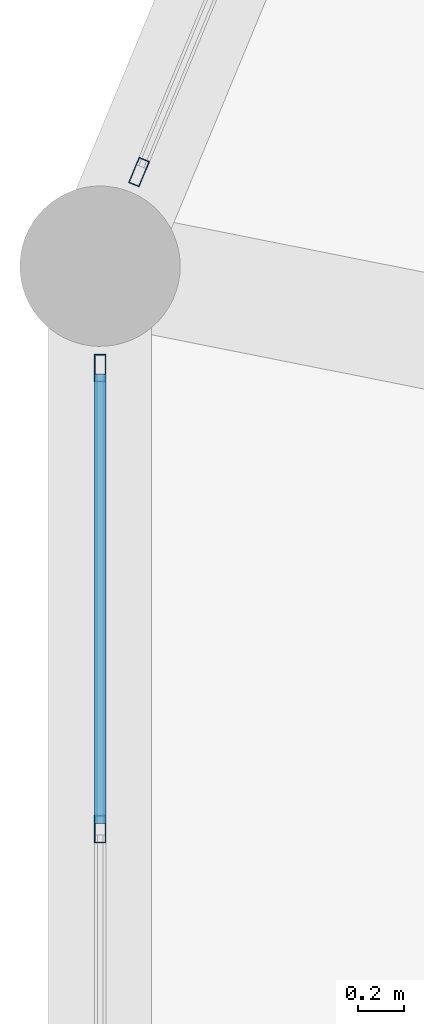
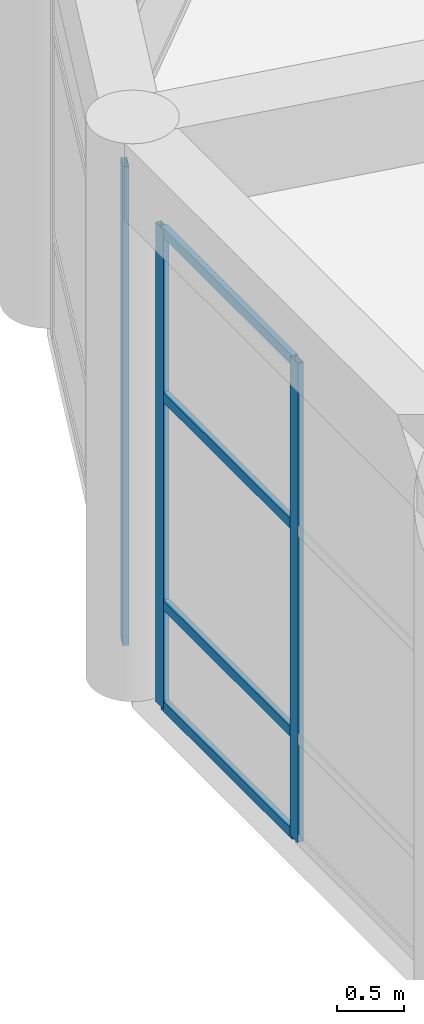
# One storey, part 9 of 96: 7 members, 2 elements without a shape of their own.
"""IFC4 building model written with IfcOpenShell, lengths in metres."""

from ifc_helpers import new_model, si_unit, direction, frame, origin, origin_2d, place, context, subcontext, project, spatial, hollow_rectangle, extrude, material, material_profile, profile_set, type_object, element, aggregate, save


model = new_model("IFC4")

# Units and contexts
model_context = context("Model", 3, precision=1e-05, world=origin(), true_north=direction((0.0, 1.0)))
body_context = subcontext(model_context, "Body", "Model", "MODEL_VIEW")
ifc_project = project(units=[si_unit("LENGTHUNIT", "METRE"), si_unit("AREAUNIT", "SQUARE_METRE"), si_unit("VOLUMEUNIT", "CUBIC_METRE"), si_unit("PLANEANGLEUNIT", "RADIAN"), si_unit("MASSUNIT", "GRAM", prefix="KILO")], contexts=[model_context])

# Site, building, storey
site_placement = place(None, origin())
site = spatial("IfcSite", under=ifc_project, at=site_placement, CompositionType="ELEMENT")
building_placement = place(site_placement, origin())
building = spatial("IfcBuilding", under=site, at=building_placement, Name="Almacenes y Pasaje Nevantli", CompositionType="ELEMENT")
storey_placement = place(building_placement, frame((0.0, 0.0, 6.0)))
storey = spatial("IfcBuildingStorey", under=building, at=storey_placement, Name="L02", CompositionType="ELEMENT", Elevation=6.0)

# Curtain wall, member
ifc_material_1 = material(Name="Thermally Broken Aluminium and Low-E Glass", Category="aluminium")
curtain_wall_type = type_object("IfcCurtainWallType", Name="CW-UNIT-ROTUNDA", PredefinedType="USERDEFINED", material=ifc_material_1)
curtain_wall_1_placement = place(storey_placement, origin())
curtain_wall_1 = element("IfcCurtainWall", 1, at=curtain_wall_1_placement, inside=storey, type_object=curtain_wall_type, Name="L02 Corner Rotunda Faceted Curtain Wall Facet #7", ObjectType="UNITIZED CURTAIN WALL", PredefinedType="USERDEFINED")
ifc_material_2 = material(Name="Thermally Broken Anodized Aluminium", Category="aluminium")
ifc_material_profile_1 = material_profile(ifc_material_2, hollow_rectangle(XDim=0.050048828125, YDim=0.1201171875, WallThickness=0.003173828125, at=origin_2d()), Name="ALU-MUL-50x120")
ifc_profile_set_1 = profile_set([ifc_material_profile_1], Name="Thermally Broken Anodized Aluminium")
member_type_1 = type_object("IfcMemberType", Name="CW-MUL-140", PredefinedType="MULLION", material=ifc_profile_set_1)
member_1_placement = place(storey_placement, frame((-3.78759765625, 11.269287109375, 0.0), z_axis=(0.0, 0.0, 1.0), x_axis=(0.923873311502, -0.382698450865, 0.0)))
member_1 = element("IfcMember", 2, at=member_1_placement, type_object=member_type_1, Name="CW-L02-026 mullion 3", PredefinedType="MULLION", context=body_context, shape_type="SweptSolid", body=[
    extrude(hollow_rectangle(XDim=0.050048828125, YDim=0.1201171875, WallThickness=0.003173828125, at=origin_2d()), origin(), (0.0, 0.0, 1.0), 4.3798828125),
])
aggregate(curtain_wall_1, [member_1])

# Curtain wall, members
curtain_wall_2_placement = place(storey_placement, origin())
curtain_wall_2 = element("IfcCurtainWall", 3, at=curtain_wall_2_placement, inside=storey, type_object=curtain_wall_type, Name="L02 Corner Rotunda Faceted Curtain Wall Facet #8", ObjectType="UNITIZED CURTAIN WALL", PredefinedType="USERDEFINED")
member_2_placement = place(storey_placement, frame((-3.9580078125, 10.4130859375, 0.0), z_axis=(0.0, 0.0, 1.0), x_axis=(1.0, 0.0, 0.0)))
member_2 = element("IfcMember", 4, at=member_2_placement, type_object=member_type_1, Name="CW-L02-027 mullion 1", PredefinedType="MULLION", context=body_context, shape_type="SweptSolid", body=[
    extrude(hollow_rectangle(XDim=0.050048828125, YDim=0.1201171875, WallThickness=0.003173828125, at=origin_2d()), origin(), (0.0, 0.0, 1.0), 4.3798828125),
])
member_3_placement = place(storey_placement, frame((-3.9580078125, 8.39990234375, 0.0), z_axis=(0.0, 0.0, 1.0), x_axis=(1.0, 0.0, 0.0)))
member_3 = element("IfcMember", 5, at=member_3_placement, type_object=member_type_1, Name="CW-L02-027 mullion 2", PredefinedType="MULLION", context=body_context, shape_type="SweptSolid", body=[
    extrude(hollow_rectangle(XDim=0.050048828125, YDim=0.1201171875, WallThickness=0.003173828125, at=origin_2d()), origin(), (0.0, 0.0, 1.0), 4.3798828125),
])
ifc_material_3 = material(Name="Thermally Broken Anodized Aluminium", Category="aluminium")
ifc_material_profile_2 = material_profile(ifc_material_3, hollow_rectangle(XDim=0.050048828125, YDim=0.090087890625, WallThickness=0.0029296875, at=origin_2d()), Name="ALU-TRN-50x90")
ifc_profile_set_2 = profile_set([ifc_material_profile_2], Name="Thermally Broken Anodized Aluminium")
member_type_2 = type_object("IfcMemberType", Name="CW-TRN-100", PredefinedType="USERDEFINED", material=ifc_profile_set_2)
member_4_placement = place(storey_placement, frame((-3.9580078125, 10.38818359375, 0.02490234375), z_axis=(0.0, -1.0, 0.0), x_axis=(1.0, 0.0, 0.0)))
member_4 = element("IfcMember", 6, at=member_4_placement, type_object=member_type_2, Name="CW-L02-027 transom 1.1", ObjectType="TRANSOM", PredefinedType="USERDEFINED", context=body_context, shape_type="SweptSolid", body=[
    extrude(hollow_rectangle(XDim=0.050048828125, YDim=0.090087890625, WallThickness=0.0029296875, at=origin_2d()), origin(), (0.0, 0.0, 1.0), 1.963134765625),
])
member_5_placement = place(storey_placement, frame((-3.9580078125, 10.38818359375, 0.949951171875), z_axis=(0.0, -1.0, 0.0), x_axis=(1.0, 0.0, 0.0)))
member_5 = element("IfcMember", 7, at=member_5_placement, type_object=member_type_2, Name="CW-L02-027 transom 1.2", ObjectType="TRANSOM", PredefinedType="USERDEFINED", context=body_context, shape_type="SweptSolid", body=[
    extrude(hollow_rectangle(XDim=0.050048828125, YDim=0.090087890625, WallThickness=0.0029296875, at=origin_2d()), origin(), (0.0, 0.0, 1.0), 1.963134765625),
])
member_6_placement = place(storey_placement, frame((-3.9580078125, 10.38818359375, 2.85009765625), z_axis=(0.0, -1.0, 0.0), x_axis=(1.0, 0.0, 0.0)))
member_6 = element("IfcMember", 8, at=member_6_placement, type_object=member_type_2, Name="CW-L02-027 transom 1.3", ObjectType="TRANSOM", PredefinedType="USERDEFINED", context=body_context, shape_type="SweptSolid", body=[
    extrude(hollow_rectangle(XDim=0.050048828125, YDim=0.090087890625, WallThickness=0.0029296875, at=origin_2d()), origin(), (0.0, 0.0, 1.0), 1.963134765625),
])
member_7_placement = place(storey_placement, frame((-3.9580078125, 10.38818359375, 4.35498046875), z_axis=(0.0, -1.0, 0.0), x_axis=(1.0, 0.0, 0.0)))
member_7 = element("IfcMember", 9, at=member_7_placement, type_object=member_type_2, Name="CW-L02-027 transom 1.4", ObjectType="TRANSOM", PredefinedType="USERDEFINED", context=body_context, shape_type="SweptSolid", body=[
    extrude(hollow_rectangle(XDim=0.050048828125, YDim=0.090087890625, WallThickness=0.0029296875, at=origin_2d()), origin(), (0.0, 0.0, 1.0), 1.963134765625),
])
aggregate(curtain_wall_2, [member_2, member_3, member_4, member_5, member_6, member_7])

save(model, "model.ifc")
